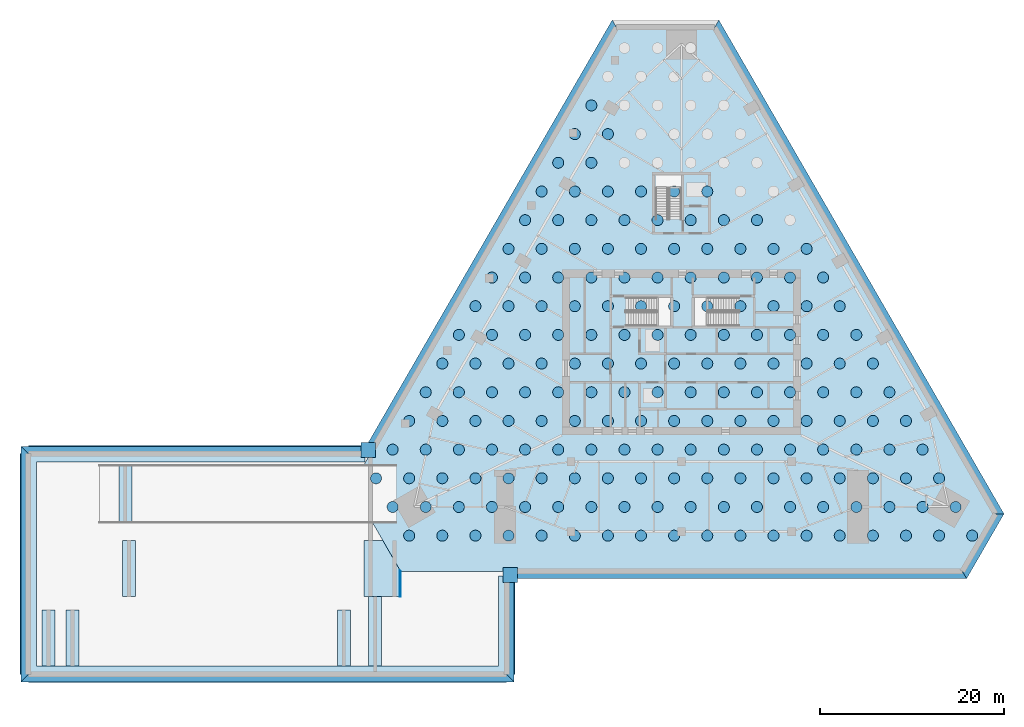
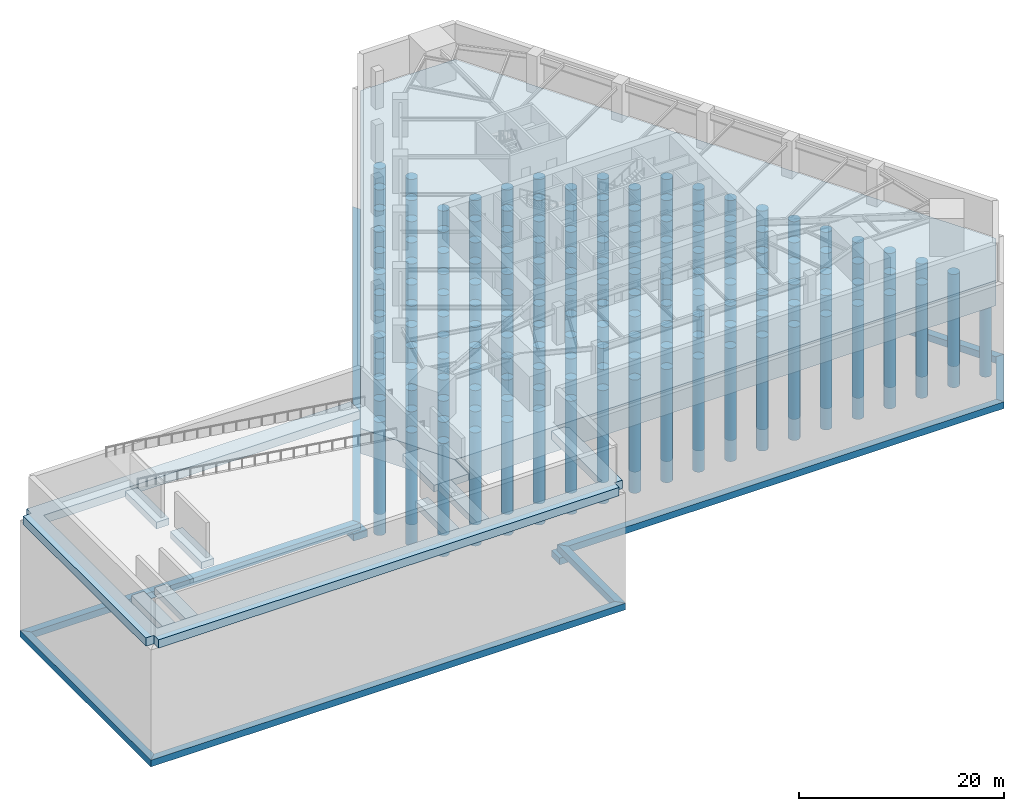
# One storey, part 1 of 8: 181 piles, 20 footings.
"""IFC4 building model written with IfcOpenShell, lengths in metres."""

from ifc_helpers import new_model, si_unit, direction, frame, origin, origin_2d, place, context, subcontext, project, spatial, polyline, circle, outline, extrude, material, material_profile, profile_set, type_object, element, save


model = new_model("IFC4")

# Units and contexts
model_context = context("Model", 3, precision=1e-05, world=origin(), true_north=direction((0.0, 1.0)))
body_context = subcontext(model_context, "Body", "Model", "MODEL_VIEW")
ifc_project = project(units=[si_unit("LENGTHUNIT", "METRE"), si_unit("AREAUNIT", "SQUARE_METRE"), si_unit("VOLUMEUNIT", "CUBIC_METRE"), si_unit("PLANEANGLEUNIT", "RADIAN"), si_unit("MASSUNIT", "GRAM", prefix="KILO")], contexts=[model_context])

# Site, building, storey
site_placement = place(None, origin())
site = spatial("IfcSite", under=ifc_project, at=site_placement, CompositionType="ELEMENT")
building_placement = place(site_placement, origin())
building = spatial("IfcBuilding", under=site, at=building_placement, Name="Firuza Gate Tower and Library", CompositionType="ELEMENT")
storey_placement = place(building_placement, frame((0.0, 0.0, -14.0)))
storey = spatial("IfcBuildingStorey", under=building, at=storey_placement, Name="B3", CompositionType="ELEMENT", Elevation=-14.0)

# Piles
ifc_material_1 = material(Name="Concrete C40/50", Category="concrete")
ifc_material_profile = material_profile(ifc_material_1, circle(Radius=0.60009765625, at=origin_2d()))
ifc_profile_set = profile_set([ifc_material_profile], Name="Concrete C40/50")
pile_type = type_object("IfcPileType", Name="Bored pile D1200 rock-socketed C40/50", PredefinedType="BORED", material=ifc_profile_set)
for number, where, z_axis, x_axis, name in (
    (1, (45.402099609375, 55.0830078125, -3.199951171875), (0.0, 0.0, -1.0), (1.0, 0.0, 0.0), "Bored pile 1"),
    (2, (49.001953125, 55.0830078125, -3.199951171875), (0.0, 0.0, -1.0), (1.0, 0.0, 0.0), "Bored pile 2"),
    (3, (52.60205078125, 55.0830078125, -3.199951171875), (0.0, 0.0, -1.0), (1.0, 0.0, 0.0), "Bored pile 3"),
    (4, (56.201904296875, 55.0830078125, -3.199951171875), (0.0, 0.0, -1.0), (1.0, 0.0, 0.0), "Bored pile 4"),
    (5, (59.802001953125, 55.0830078125, -3.199951171875), (0.0, 0.0, -1.0), (1.0, 0.0, 0.0), "Bored pile 5"),
    (6, (63.402099609375, 55.0830078125, -3.199951171875), (0.0, 0.0, -1.0), (1.0, 0.0, 0.0), "Bored pile 6"),
    (7, (67.001953125, 55.0830078125, -3.199951171875), (0.0, 0.0, -1.0), (1.0, 0.0, 0.0), "Bored pile 7"),
    (8, (70.60205078125, 55.0830078125, -3.199951171875), (0.0, 0.0, -1.0), (1.0, 0.0, 0.0), "Bored pile 8"),
    (9, (74.201904296875, 55.0830078125, -3.199951171875), (0.0, 0.0, -1.0), (1.0, 0.0, 0.0), "Bored pile 9"),
    (10, (77.802001953125, 55.0830078125, -3.199951171875), (0.0, 0.0, -1.0), (1.0, 0.0, 0.0), "Bored pile 10"),
    (11, (81.402099609375, 55.0830078125, -3.199951171875), (0.0, 0.0, -1.0), (1.0, 0.0, 0.0), "Bored pile 11"),
    (12, (85.001953125, 55.0830078125, -3.199951171875), (0.0, 0.0, -1.0), (1.0, 0.0, 0.0), "Bored pile 12"),
    (13, (88.60205078125, 55.0830078125, -3.199951171875), (0.0, 0.0, -1.0), (1.0, 0.0, 0.0), "Bored pile 13"),
    (14, (92.201904296875, 55.0830078125, -3.199951171875), (0.0, 0.0, -1.0), (1.0, 0.0, 0.0), "Bored pile 14"),
    (15, (95.802001953125, 55.0830078125, -3.199951171875), (0.0, 0.0, -1.0), (1.0, 0.0, 0.0), "Bored pile 15"),
    (16, (99.402099609375, 55.0830078125, -3.199951171875), (0.0, 0.0, -1.0), (1.0, 0.0, 0.0), "Bored pile 16"),
    (17, (103.001953125, 55.0830078125, -3.199951171875), (0.0, 0.0, -1.0), (1.0, 0.0, 0.0), "Bored pile 17"),
    (18, (106.60205078125, 55.0830078125, -3.199951171875), (0.0, 0.0, -1.0), (1.0, 0.0, 0.0), "Bored pile 18"),
    (19, (43.60205078125, 58.200927734375, -3.199951171875), (0.0, 0.0, -1.0), (1.0, 0.0, 0.0), "Bored pile 19"),
    (20, (47.201904296875, 58.200927734375, -3.199951171875), (0.0, 0.0, -1.0), (1.0, 0.0, 0.0), "Bored pile 20"),
    (21, (50.802001953125, 58.200927734375, -3.199951171875), (0.0, 0.0, -1.0), (1.0, 0.0, 0.0), "Bored pile 21"),
    (22, (54.402099609375, 58.200927734375, -3.199951171875), (0.0, 0.0, -1.0), (1.0, 0.0, 0.0), "Bored pile 22"),
    (23, (58.001953125, 58.200927734375, -3.199951171875), (0.0, 0.0, -1.0), (1.0, 0.0, 0.0), "Bored pile 23"),
    (24, (61.60205078125, 58.200927734375, -3.199951171875), (0.0, 0.0, -1.0), (1.0, 0.0, 0.0), "Bored pile 24"),
    (25, (65.201904296875, 58.200927734375, -3.199951171875), (0.0, 0.0, -1.0), (1.0, 0.0, 0.0), "Bored pile 25"),
    (26, (68.802001953125, 58.200927734375, -3.199951171875), (0.0, 0.0, -1.0), (1.0, 0.0, 0.0), "Bored pile 26"),
    (27, (72.402099609375, 58.200927734375, -3.199951171875), (0.0, 0.0, -1.0), (1.0, 0.0, 0.0), "Bored pile 27"),
    (28, (76.001953125, 58.200927734375, -3.199951171875), (0.0, 0.0, -1.0), (1.0, 0.0, 0.0), "Bored pile 28"),
    (29, (79.60205078125, 58.200927734375, -3.199951171875), (0.0, 0.0, -1.0), (1.0, 0.0, 0.0), "Bored pile 29"),
    (30, (83.201904296875, 58.200927734375, -3.199951171875), (0.0, 0.0, -1.0), (1.0, 0.0, 0.0), "Bored pile 30"),
    (31, (86.802001953125, 58.200927734375, -3.199951171875), (0.0, 0.0, -1.0), (1.0, 0.0, 0.0), "Bored pile 31"),
    (32, (90.402099609375, 58.200927734375, -3.199951171875), (0.0, 0.0, -1.0), (1.0, 0.0, 0.0), "Bored pile 32"),
    (33, (94.001953125, 58.200927734375, -3.199951171875), (0.0, 0.0, -1.0), (1.0, 0.0, 0.0), "Bored pile 33"),
    (34, (97.60205078125, 58.200927734375, -3.199951171875), (0.0, 0.0, -1.0), (1.0, 0.0, 0.0), "Bored pile 34"),
    (35, (101.201904296875, 58.200927734375, -3.199951171875), (0.0, 0.0, -1.0), (1.0, 0.0, 0.0), "Bored pile 35"),
    (36, (104.802001953125, 58.200927734375, -3.199951171875), (0.0, 0.0, -1.0), (1.0, 0.0, 0.0), "Bored pile 36"),
    (37, (41.802001953125, 61.318115234375, -3.199951171875), (0.0, 0.0, -1.0), (1.0, 0.0, 0.0), "Bored pile 37"),
    (38, (45.402099609375, 61.318115234375, -3.199951171875), (0.0, 0.0, -1.0), (1.0, 0.0, 0.0), "Bored pile 38"),
    (39, (49.001953125, 61.318115234375, -3.199951171875), (0.0, 0.0, -1.0), (1.0, 0.0, 0.0), "Bored pile 39"),
    (40, (52.60205078125, 61.318115234375, -3.199951171875), (0.0, 0.0, -1.0), (1.0, 0.0, 0.0), "Bored pile 40"),
    (41, (56.201904296875, 61.318115234375, -3.199951171875), (0.0, 0.0, -1.0), (1.0, 0.0, 0.0), "Bored pile 41"),
    (42, (59.802001953125, 61.318115234375, -3.199951171875), (0.0, 0.0, -1.0), (1.0, 0.0, 0.0), "Bored pile 42"),
    (43, (63.402099609375, 61.318115234375, -3.199951171875), (0.0, 0.0, -1.0), (1.0, 0.0, 0.0), "Bored pile 43"),
    (44, (67.001953125, 61.318115234375, -3.199951171875), (0.0, 0.0, -1.0), (1.0, 0.0, 0.0), "Bored pile 44"),
    (45, (70.60205078125, 61.318115234375, -3.199951171875), (0.0, 0.0, -1.0), (1.0, 0.0, 0.0), "Bored pile 45"),
    (46, (74.201904296875, 61.318115234375, -3.199951171875), (0.0, 0.0, -1.0), (1.0, 0.0, 0.0), "Bored pile 46"),
    (47, (77.802001953125, 61.318115234375, -3.199951171875), (0.0, 0.0, -1.0), (1.0, 0.0, 0.0), "Bored pile 47"),
    (48, (81.402099609375, 61.318115234375, -3.199951171875), (0.0, 0.0, -1.0), (1.0, 0.0, 0.0), "Bored pile 48"),
    (49, (85.001953125, 61.318115234375, -3.199951171875), (0.0, 0.0, -1.0), (1.0, 0.0, 0.0), "Bored pile 49"),
    (50, (88.60205078125, 61.318115234375, -3.199951171875), (0.0, 0.0, -1.0), (1.0, 0.0, 0.0), "Bored pile 50"),
    (51, (92.201904296875, 61.318115234375, -3.199951171875), (0.0, 0.0, -1.0), (1.0, 0.0, 0.0), "Bored pile 51"),
    (52, (95.802001953125, 61.318115234375, -3.199951171875), (0.0, 0.0, -1.0), (1.0, 0.0, 0.0), "Bored pile 52"),
    (53, (99.402099609375, 61.318115234375, -3.199951171875), (0.0, 0.0, -1.0), (1.0, 0.0, 0.0), "Bored pile 53"),
    (54, (103.001953125, 61.318115234375, -3.199951171875), (0.0, 0.0, -1.0), (1.0, 0.0, 0.0), "Bored pile 54"),
    (55, (43.60205078125, 64.43603515625, -3.199951171875), (0.0, 0.0, -1.0), (1.0, 0.0, 0.0), "Bored pile 55"),
    (56, (47.201904296875, 64.43603515625, -3.199951171875), (0.0, 0.0, -1.0), (1.0, 0.0, 0.0), "Bored pile 56"),
    (57, (50.802001953125, 64.43603515625, -3.199951171875), (0.0, 0.0, -1.0), (1.0, 0.0, 0.0), "Bored pile 57"),
    (58, (54.402099609375, 64.43603515625, -3.199951171875), (0.0, 0.0, -1.0), (1.0, 0.0, 0.0), "Bored pile 58"),
    (59, (58.001953125, 64.43603515625, -3.199951171875), (0.0, 0.0, -1.0), (1.0, 0.0, 0.0), "Bored pile 59"),
    (60, (61.60205078125, 64.43603515625, -3.199951171875), (0.0, 0.0, -1.0), (1.0, 0.0, 0.0), "Bored pile 60"),
    (61, (65.201904296875, 64.43603515625, -3.199951171875), (0.0, 0.0, -1.0), (1.0, 0.0, 0.0), "Bored pile 61"),
    (62, (68.802001953125, 64.43603515625, -3.199951171875), (0.0, 0.0, -1.0), (1.0, 0.0, 0.0), "Bored pile 62"),
    (63, (72.402099609375, 64.43603515625, -3.199951171875), (0.0, 0.0, -1.0), (1.0, 0.0, 0.0), "Bored pile 63"),
    (64, (76.001953125, 64.43603515625, -3.199951171875), (0.0, 0.0, -1.0), (1.0, 0.0, 0.0), "Bored pile 64"),
    (65, (79.60205078125, 64.43603515625, -3.199951171875), (0.0, 0.0, -1.0), (1.0, 0.0, 0.0), "Bored pile 65"),
    (66, (83.201904296875, 64.43603515625, -3.199951171875), (0.0, 0.0, -1.0), (1.0, 0.0, 0.0), "Bored pile 66"),
    (67, (86.802001953125, 64.43603515625, -3.199951171875), (0.0, 0.0, -1.0), (1.0, 0.0, 0.0), "Bored pile 67"),
    (68, (90.402099609375, 64.43603515625, -3.199951171875), (0.0, 0.0, -1.0), (1.0, 0.0, 0.0), "Bored pile 68"),
    (69, (94.001953125, 64.43603515625, -3.199951171875), (0.0, 0.0, -1.0), (1.0, 0.0, 0.0), "Bored pile 69"),
    (70, (97.60205078125, 64.43603515625, -3.199951171875), (0.0, 0.0, -1.0), (1.0, 0.0, 0.0), "Bored pile 70"),
    (71, (101.201904296875, 64.43603515625, -3.199951171875), (0.0, 0.0, -1.0), (1.0, 0.0, 0.0), "Bored pile 71"),
    (72, (45.402099609375, 67.553955078125, -3.199951171875), (0.0, 0.0, -1.0), (1.0, 0.0, 0.0), "Bored pile 72"),
    (73, (49.001953125, 67.553955078125, -3.199951171875), (0.0, 0.0, -1.0), (1.0, 0.0, 0.0), "Bored pile 73"),
    (74, (52.60205078125, 67.553955078125, -3.199951171875), (0.0, 0.0, -1.0), (1.0, 0.0, 0.0), "Bored pile 74"),
    (75, (56.201904296875, 67.553955078125, -3.199951171875), (0.0, 0.0, -1.0), (1.0, 0.0, 0.0), "Bored pile 75"),
    (76, (59.802001953125, 67.553955078125, -3.199951171875), (0.0, 0.0, -1.0), (1.0, 0.0, 0.0), "Bored pile 76"),
    (77, (63.402099609375, 67.553955078125, -3.199951171875), (0.0, 0.0, -1.0), (1.0, 0.0, 0.0), "Bored pile 77"),
    (78, (67.001953125, 67.553955078125, -3.199951171875), (0.0, 0.0, -1.0), (1.0, 0.0, 0.0), "Bored pile 78"),
    (79, (70.60205078125, 67.553955078125, -3.199951171875), (0.0, 0.0, -1.0), (1.0, 0.0, 0.0), "Bored pile 79"),
    (80, (74.201904296875, 67.553955078125, -3.199951171875), (0.0, 0.0, -1.0), (1.0, 0.0, 0.0), "Bored pile 80"),
    (81, (77.802001953125, 67.553955078125, -3.199951171875), (0.0, 0.0, -1.0), (1.0, 0.0, 0.0), "Bored pile 81"),
    (82, (81.402099609375, 67.553955078125, -3.199951171875), (0.0, 0.0, -1.0), (1.0, 0.0, 0.0), "Bored pile 82"),
    (83, (85.001953125, 67.553955078125, -3.199951171875), (0.0, 0.0, -1.0), (1.0, 0.0, 0.0), "Bored pile 83"),
    (84, (88.60205078125, 67.553955078125, -3.199951171875), (0.0, 0.0, -1.0), (1.0, 0.0, 0.0), "Bored pile 84"),
    (85, (92.201904296875, 67.553955078125, -3.199951171875), (0.0, 0.0, -1.0), (1.0, 0.0, 0.0), "Bored pile 85"),
    (86, (95.802001953125, 67.553955078125, -3.199951171875), (0.0, 0.0, -1.0), (1.0, 0.0, 0.0), "Bored pile 86"),
    (87, (99.402099609375, 67.553955078125, -3.199951171875), (0.0, 0.0, -1.0), (1.0, 0.0, 0.0), "Bored pile 87"),
    (88, (47.201904296875, 70.672119140625, -3.199951171875), (0.0, 0.0, -1.0), (1.0, 0.0, 0.0), "Bored pile 88"),
    (89, (50.802001953125, 70.672119140625, -3.199951171875), (0.0, 0.0, -1.0), (1.0, 0.0, 0.0), "Bored pile 89"),
    (90, (54.402099609375, 70.672119140625, -3.199951171875), (0.0, 0.0, -1.0), (1.0, 0.0, 0.0), "Bored pile 90"),
    (91, (58.001953125, 70.672119140625, -3.199951171875), (0.0, 0.0, -1.0), (1.0, 0.0, 0.0), "Bored pile 91"),
    (92, (61.60205078125, 70.672119140625, -3.199951171875), (0.0, 0.0, -1.0), (1.0, 0.0, 0.0), "Bored pile 92"),
    (93, (65.201904296875, 70.672119140625, -3.199951171875), (0.0, 0.0, -1.0), (1.0, 0.0, 0.0), "Bored pile 93"),
    (94, (68.802001953125, 70.672119140625, -3.199951171875), (0.0, 0.0, -1.0), (1.0, 0.0, 0.0), "Bored pile 94"),
    (95, (72.402099609375, 70.672119140625, -3.199951171875), (0.0, 0.0, -1.0), (1.0, 0.0, 0.0), "Bored pile 95"),
    (96, (76.001953125, 70.672119140625, -3.199951171875), (0.0, 0.0, -1.0), (1.0, 0.0, 0.0), "Bored pile 96"),
    (97, (79.60205078125, 70.672119140625, -3.199951171875), (0.0, 0.0, -1.0), (1.0, 0.0, 0.0), "Bored pile 97"),
    (98, (83.201904296875, 70.672119140625, -3.199951171875), (0.0, 0.0, -1.0), (1.0, 0.0, 0.0), "Bored pile 98"),
    (99, (86.802001953125, 70.672119140625, -3.199951171875), (0.0, 0.0, -1.0), (1.0, 0.0, 0.0), "Bored pile 99"),
    (100, (90.402099609375, 70.672119140625, -3.199951171875), (0.0, 0.0, -1.0), (1.0, 0.0, 0.0), "Bored pile 100"),
    (101, (94.001953125, 70.672119140625, -3.199951171875), (0.0, 0.0, -1.0), (1.0, 0.0, 0.0), "Bored pile 101"),
    (102, (97.60205078125, 70.672119140625, -3.199951171875), (0.0, 0.0, -1.0), (1.0, 0.0, 0.0), "Bored pile 102"),
    (103, (49.001953125, 73.7890625, -3.199951171875), (0.0, 0.0, -1.0), (1.0, 0.0, 0.0), "Bored pile 103"),
    (104, (52.60205078125, 73.7890625, -3.199951171875), (0.0, 0.0, -1.0), (1.0, 0.0, 0.0), "Bored pile 104"),
    (105, (56.201904296875, 73.7890625, -3.199951171875), (0.0, 0.0, -1.0), (1.0, 0.0, 0.0), "Bored pile 105"),
    (106, (59.802001953125, 73.7890625, -3.199951171875), (0.0, 0.0, -1.0), (1.0, 0.0, 0.0), "Bored pile 106"),
    (107, (63.402099609375, 73.7890625, -3.199951171875), (0.0, 0.0, -1.0), (1.0, 0.0, 0.0), "Bored pile 107"),
    (108, (67.001953125, 73.7890625, -3.199951171875), (0.0, 0.0, -1.0), (1.0, 0.0, 0.0), "Bored pile 108"),
    (109, (70.60205078125, 73.7890625, -3.199951171875), (0.0, 0.0, -1.0), (1.0, 0.0, 0.0), "Bored pile 109"),
    (110, (74.201904296875, 73.7890625, -3.199951171875), (0.0, 0.0, -1.0), (1.0, 0.0, 0.0), "Bored pile 110"),
    (111, (77.802001953125, 73.7890625, -3.199951171875), (0.0, 0.0, -1.0), (1.0, 0.0, 0.0), "Bored pile 111"),
    (112, (81.402099609375, 73.7890625, -3.199951171875), (0.0, 0.0, -1.0), (1.0, 0.0, 0.0), "Bored pile 112"),
    (113, (85.001953125, 73.7890625, -3.199951171875), (0.0, 0.0, -1.0), (1.0, 0.0, 0.0), "Bored pile 113"),
    (114, (88.60205078125, 73.7890625, -3.199951171875), (0.0, 0.0, -1.0), (1.0, 0.0, 0.0), "Bored pile 114"),
    (115, (92.201904296875, 73.7890625, -3.199951171875), (0.0, 0.0, -1.0), (1.0, 0.0, 0.0), "Bored pile 115"),
    (116, (95.802001953125, 73.7890625, -3.199951171875), (0.0, 0.0, -1.0), (1.0, 0.0, 0.0), "Bored pile 116"),
    (117, (50.802001953125, 76.906982421875, -3.199951171875), (0.0, 0.0, -1.0), (1.0, 0.0, 0.0), "Bored pile 117"),
    (118, (54.402099609375, 76.906982421875, -3.199951171875), (0.0, 0.0, -1.0), (1.0, 0.0, 0.0), "Bored pile 118"),
    (119, (58.001953125, 76.906982421875, -3.199951171875), (0.0, 0.0, -1.0), (1.0, 0.0, 0.0), "Bored pile 119"),
    (120, (61.60205078125, 76.906982421875, -3.199951171875), (0.0, 0.0, -1.0), (1.0, 0.0, 0.0), "Bored pile 120"),
    (121, (65.201904296875, 76.906982421875, -3.199951171875), (0.0, 0.0, -1.0), (1.0, 0.0, 0.0), "Bored pile 121"),
    (122, (68.802001953125, 76.906982421875, -3.199951171875), (0.0, 0.0, -1.0), (1.0, 0.0, 0.0), "Bored pile 122"),
    (123, (72.402099609375, 76.906982421875, -3.199951171875), (0.0, 0.0, -1.0), (1.0, 0.0, 0.0), "Bored pile 123"),
    (124, (76.001953125, 76.906982421875, -3.199951171875), (0.0, 0.0, -1.0), (1.0, 0.0, 0.0), "Bored pile 124"),
    (125, (79.60205078125, 76.906982421875, -3.199951171875), (0.0, 0.0, -1.0), (1.0, 0.0, 0.0), "Bored pile 125"),
    (126, (83.201904296875, 76.906982421875, -3.199951171875), (0.0, 0.0, -1.0), (1.0, 0.0, 0.0), "Bored pile 126"),
    (127, (86.802001953125, 76.906982421875, -3.199951171875), (0.0, 0.0, -1.0), (1.0, 0.0, 0.0), "Bored pile 127"),
    (128, (90.402099609375, 76.906982421875, -3.199951171875), (0.0, 0.0, -1.0), (1.0, 0.0, 0.0), "Bored pile 128"),
    (129, (94.001953125, 76.906982421875, -3.199951171875), (0.0, 0.0, -1.0), (1.0, 0.0, 0.0), "Bored pile 129"),
    (130, (52.60205078125, 80.02490234375, -3.199951171875), (0.0, 0.0, -1.0), (1.0, 0.0, 0.0), "Bored pile 130"),
    (131, (56.201904296875, 80.02490234375, -3.199951171875), (0.0, 0.0, -1.0), (1.0, 0.0, 0.0), "Bored pile 131"),
    (132, (59.802001953125, 80.02490234375, -3.199951171875), (0.0, 0.0, -1.0), (1.0, 0.0, 0.0), "Bored pile 132"),
    (133, (63.402099609375, 80.02490234375, -3.199951171875), (0.0, 0.0, -1.0), (1.0, 0.0, 0.0), "Bored pile 133"),
    (134, (67.001953125, 80.02490234375, -3.199951171875), (0.0, 0.0, -1.0), (1.0, 0.0, 0.0), "Bored pile 134"),
    (135, (70.60205078125, 80.02490234375, -3.199951171875), (0.0, 0.0, -1.0), (1.0, 0.0, 0.0), "Bored pile 135"),
    (136, (74.201904296875, 80.02490234375, -3.199951171875), (0.0, 0.0, -1.0), (1.0, 0.0, 0.0), "Bored pile 136"),
    (137, (77.802001953125, 80.02490234375, -3.199951171875), (0.0, 0.0, -1.0), (1.0, 0.0, 0.0), "Bored pile 137"),
    (138, (81.402099609375, 80.02490234375, -3.199951171875), (0.0, 0.0, -1.0), (1.0, 0.0, 0.0), "Bored pile 138"),
    (139, (85.001953125, 80.02490234375, -3.199951171875), (0.0, 0.0, -1.0), (1.0, 0.0, 0.0), "Bored pile 139"),
    (140, (88.60205078125, 80.02490234375, -3.199951171875), (0.0, 0.0, -1.0), (1.0, 0.0, 0.0), "Bored pile 140"),
    (141, (92.201904296875, 80.02490234375, -3.199951171875), (0.0, 0.0, -1.0), (1.0, 0.0, 0.0), "Bored pile 141"),
    (142, (54.402099609375, 83.14208984375, -3.199951171875), (0.0, 0.0, -1.0), (1.0, 0.0, 0.0), "Bored pile 142"),
    (143, (58.001953125, 83.14208984375, -3.199951171875), (0.0, 0.0, -1.0), (1.0, 0.0, 0.0), "Bored pile 143"),
    (144, (61.60205078125, 83.14208984375, -3.199951171875), (0.0, 0.0, -1.0), (1.0, 0.0, 0.0), "Bored pile 144"),
    (145, (65.201904296875, 83.14208984375, -3.199951171875), (0.0, 0.0, -1.0), (1.0, 0.0, 0.0), "Bored pile 145"),
    (146, (68.802001953125, 83.14208984375, -3.199951171875), (0.0, 0.0, -1.0), (1.0, 0.0, 0.0), "Bored pile 146"),
    (147, (72.402099609375, 83.14208984375, -3.199951171875), (0.0, 0.0, -1.0), (1.0, 0.0, 0.0), "Bored pile 147"),
    (148, (76.001953125, 83.14208984375, -3.199951171875), (0.0, 0.0, -1.0), (1.0, 0.0, 0.0), "Bored pile 148"),
    (149, (79.60205078125, 83.14208984375, -3.199951171875), (0.0, 0.0, -1.0), (1.0, 0.0, 0.0), "Bored pile 149"),
    (150, (83.201904296875, 83.14208984375, -3.199951171875), (0.0, 0.0, -1.0), (1.0, 0.0, 0.0), "Bored pile 150"),
    (151, (86.802001953125, 83.14208984375, -3.199951171875), (0.0, 0.0, -1.0), (1.0, 0.0, 0.0), "Bored pile 151"),
    (152, (90.402099609375, 83.14208984375, -3.199951171875), (0.0, 0.0, -1.0), (1.0, 0.0, 0.0), "Bored pile 152"),
    (153, (56.201904296875, 86.260009765625, -3.199951171875), (0.0, 0.0, -1.0), (1.0, 0.0, 0.0), "Bored pile 153"),
    (154, (59.802001953125, 86.260009765625, -3.199951171875), (0.0, 0.0, -1.0), (1.0, 0.0, 0.0), "Bored pile 154"),
    (155, (63.402099609375, 86.260009765625, -3.199951171875), (0.0, 0.0, -1.0), (1.0, 0.0, 0.0), "Bored pile 155"),
    (156, (67.001953125, 86.260009765625, -3.199951171875), (0.0, 0.0, -1.0), (1.0, 0.0, 0.0), "Bored pile 156"),
    (157, (70.60205078125, 86.260009765625, -3.199951171875), (0.0, 0.0, -1.0), (1.0, 0.0, 0.0), "Bored pile 157"),
    (158, (74.201904296875, 86.260009765625, -3.199951171875), (0.0, 0.0, -1.0), (1.0, 0.0, 0.0), "Bored pile 158"),
    (159, (77.802001953125, 86.260009765625, -3.199951171875), (0.0, 0.0, -1.0), (1.0, 0.0, 0.0), "Bored pile 159"),
    (160, (81.402099609375, 86.260009765625, -3.199951171875), (0.0, 0.0, -1.0), (1.0, 0.0, 0.0), "Bored pile 160"),
    (161, (85.001953125, 86.260009765625, -3.199951171875), (0.0, 0.0, -1.0), (1.0, 0.0, 0.0), "Bored pile 161"),
    (162, (88.60205078125, 86.260009765625, -3.199951171875), (0.0, 0.0, -1.0), (1.0, 0.0, 0.0), "Bored pile 162"),
    (163, (58.001953125, 89.3779296875, -3.199951171875), (0.0, 0.0, -1.0), (1.0, 0.0, 0.0), "Bored pile 163"),
    (164, (61.60205078125, 89.3779296875, -3.199951171875), (0.0, 0.0, -1.0), (1.0, 0.0, 0.0), "Bored pile 164"),
    (165, (65.201904296875, 89.3779296875, -3.199951171875), (0.0, 0.0, -1.0), (1.0, 0.0, 0.0), "Bored pile 165"),
    (166, (68.802001953125, 89.3779296875, -3.199951171875), (0.0, 0.0, -1.0), (1.0, 0.0, 0.0), "Bored pile 166"),
    (167, (72.402099609375, 89.3779296875, -3.199951171875), (0.0, 0.0, -1.0), (1.0, 0.0, 0.0), "Bored pile 167"),
    (168, (76.001953125, 89.3779296875, -3.199951171875), (0.0, 0.0, -1.0), (1.0, 0.0, 0.0), "Bored pile 168"),
    (169, (79.60205078125, 89.3779296875, -3.199951171875), (0.0, 0.0, -1.0), (1.0, 0.0, 0.0), "Bored pile 169"),
    (170, (83.201904296875, 89.3779296875, -3.199951171875), (0.0, 0.0, -1.0), (1.0, 0.0, 0.0), "Bored pile 170"),
    (171, (59.802001953125, 92.4951171875, -3.199951171875), (0.0, 0.0, -1.0), (1.0, 0.0, 0.0), "Bored pile 172"),
    (172, (63.402099609375, 92.4951171875, -3.199951171875), (0.0, 0.0, -1.0), (1.0, 0.0, 0.0), "Bored pile 173"),
    (173, (67.001953125, 92.4951171875, -3.199951171875), (0.0, 0.0, -1.0), (1.0, 0.0, 0.0), "Bored pile 174"),
    (174, (70.60205078125, 92.4951171875, -3.199951171875), (0.0, 0.0, -1.0), (1.0, 0.0, 0.0), "Bored pile 175"),
    (175, (74.201904296875, 92.4951171875, -3.199951171875), (0.0, 0.0, -1.0), (1.0, 0.0, 0.0), "Bored pile 176"),
    (176, (77.802001953125, 92.4951171875, -3.199951171875), (0.0, 0.0, -1.0), (1.0, 0.0, 0.0), "Bored pile 177"),
    (177, (61.60205078125, 95.613037109375, -3.199951171875), (0.0, 0.0, -1.0), (1.0, 0.0, 0.0), "Bored pile 180"),
    (178, (65.201904296875, 95.613037109375, -3.199951171875), (0.0, 0.0, -1.0), (1.0, 0.0, 0.0), "Bored pile 181"),
    (179, (63.402099609375, 98.73095703125, -3.199951171875), (0.0, 0.0, -1.0), (1.0, 0.0, 0.0), "Bored pile 187"),
    (180, (67.001953125, 98.73095703125, -3.199951171875), (0.0, 0.0, -1.0), (1.0, 0.0, 0.0), "Bored pile 188"),
    (181, (65.201904296875, 101.847900390625, -3.199951171875), (0.0, 0.0, -1.0), (1.0, 0.0, 0.0), "Bored pile 193"),
):
    element("IfcPile", number, at=place(storey_placement, frame(where, z_axis=z_axis, x_axis=x_axis)), inside=storey, type_object=pile_type, Name=name, PredefinedType="BORED", context=body_context, shape_type="SweptSolid", body=[
        extrude(circle(Radius=0.60009765625, at=origin_2d()), origin(), (0.0, 0.0, 1.0), 11.0),
    ])

# Footings
ifc_material_2 = material(Name="Concrete C40/50", Category="concrete")
footing_type_1 = type_object("IfcFootingType", Name="Diaphragm wall corner block 1600 C40/50", PredefinedType="PAD_FOOTING", material=ifc_material_2)
placement_1 = place(storey_placement, frame((0.0, 0.0, -16.10009765625)))
element("IfcFooting", 182, at=placement_1, inside=storey, type_object=footing_type_1, Name="Diaphragm wall corner block 6 TC1", PredefinedType="PAD_FOOTING", context=body_context, shape_type="SweptSolid", body=[
    extrude(outline(polyline([(40.154052734375, 63.60009765625), (41.754150390625, 63.60009765625), (41.754150390625, 65.199951171875), (40.154052734375, 65.199951171875), (40.154052734375, 63.60009765625)])), origin(), (0.0, 0.0, 1.0), 0.800048828125),
])
element("IfcFooting", 183, at=placement_1, inside=storey, type_object=footing_type_1, Name="Diaphragm wall corner block 1 TC1", PredefinedType="PAD_FOOTING", context=body_context, shape_type="SweptSolid", body=[
    extrude(outline(polyline([(55.60009765625, 50.015380859375), (57.199951171875, 50.015380859375), (57.199951171875, 51.615478515625), (55.60009765625, 51.615478515625), (55.60009765625, 50.015380859375)])), origin(), (0.0, 0.0, 1.0), 0.800048828125),
])
ifc_material_3 = material(Name="Concrete C40/50", Category="concrete")
footing_type_2 = type_object("IfcFootingType", Name="Diaphragm wall toe key 800 C40/50", PredefinedType="STRIP_FOOTING", material=ifc_material_3)
placement_2 = place(storey_placement, frame((0.0, 0.0, -15.300048828125)))
element("IfcFooting", 184, at=placement_2, inside=storey, type_object=footing_type_2, Name="Diaphragm wall toe key 1 TK1", PredefinedType="STRIP_FOOTING", context=body_context, shape_type="SweptSolid", body=[
    extrude(outline(polyline([(56.0, 51.21533203125), (105.531982421875, 51.21533203125), (105.993896484375, 50.415283203125), (56.800048828125, 50.415283203125), (56.0, 51.21533203125)])), origin(), (0.0, 0.0, 1.0), 0.800048828125),
])
element("IfcFooting", 185, at=placement_2, inside=storey, type_object=footing_type_2, Name="Diaphragm wall toe key 2 TK1", PredefinedType="STRIP_FOOTING", context=body_context, shape_type="SweptSolid", body=[
    extrude(outline(polyline([(105.531982421875, 51.21533203125), (109.132080078125, 57.45068359375), (110.055908203125, 57.45068359375), (105.993896484375, 50.415283203125), (105.531982421875, 51.21533203125)])), origin(), (0.0, 0.0, 1.0), 0.800048828125),
])
element("IfcFooting", 186, at=placement_2, inside=storey, type_object=footing_type_2, Name="Diaphragm wall toe key 3 TK1", PredefinedType="STRIP_FOOTING", context=body_context, shape_type="SweptSolid", body=[
    extrude(outline(polyline([(109.132080078125, 57.45068359375), (78.60009765625, 110.333740234375), (79.061767578125, 111.1337890625), (110.055908203125, 57.45068359375), (109.132080078125, 57.45068359375)])), origin(), (0.0, 0.0, 1.0), 0.800048828125),
])
element("IfcFooting", 187, at=placement_2, inside=storey, type_object=footing_type_2, Name="Diaphragm wall toe key 5 TK1", PredefinedType="STRIP_FOOTING", context=body_context, shape_type="SweptSolid", body=[
    extrude(outline(polyline([(67.935791015625, 110.333740234375), (41.18505859375, 64.0), (40.72314453125, 64.800048828125), (67.47412109375, 111.1337890625), (67.935791015625, 110.333740234375)])), origin(), (0.0, 0.0, 1.0), 0.800048828125),
])
element("IfcFooting", 188, at=placement_2, inside=storey, type_object=footing_type_2, Name="Diaphragm wall toe key 6 TK1", PredefinedType="STRIP_FOOTING", context=body_context, shape_type="SweptSolid", body=[
    extrude(outline(polyline([(41.18505859375, 64.0), (4.0, 64.0), (3.199951171875, 64.800048828125), (40.72314453125, 64.800048828125), (41.18505859375, 64.0)])), origin(), (0.0, 0.0, 1.0), 0.800048828125),
])
element("IfcFooting", 189, at=placement_2, inside=storey, type_object=footing_type_2, Name="Diaphragm wall toe key 7 TK1", PredefinedType="STRIP_FOOTING", context=body_context, shape_type="SweptSolid", body=[
    extrude(outline(polyline([(4.0, 64.0), (4.0, 40.0), (3.199951171875, 39.199951171875), (3.199951171875, 64.800048828125), (4.0, 64.0)])), origin(), (0.0, 0.0, 1.0), 0.800048828125),
])
element("IfcFooting", 190, at=placement_2, inside=storey, type_object=footing_type_2, Name="Diaphragm wall toe key 8 TK1", PredefinedType="STRIP_FOOTING", context=body_context, shape_type="SweptSolid", body=[
    extrude(outline(polyline([(4.0, 40.0), (56.0, 40.0), (56.800048828125, 39.199951171875), (3.199951171875, 39.199951171875), (4.0, 40.0)])), origin(), (0.0, 0.0, 1.0), 0.800048828125),
])
element("IfcFooting", 191, at=placement_2, inside=storey, type_object=footing_type_2, Name="Diaphragm wall toe key 9 TK1", PredefinedType="STRIP_FOOTING", context=body_context, shape_type="SweptSolid", body=[
    extrude(outline(polyline([(56.0, 40.0), (56.0, 51.21533203125), (56.800048828125, 50.415283203125), (56.800048828125, 39.199951171875), (56.0, 40.0)])), origin(), (0.0, 0.0, 1.0), 0.800048828125),
])
ifc_material_4 = material(Name="Concrete C40/50", Category="concrete")
footing_type_3 = type_object("IfcFootingType", Name="Piled raft 3000 C40/50", PredefinedType="PILE_CAP", material=ifc_material_4)
footing_11_placement = place(storey_placement, frame((0.0, 0.0, -3.35009765625)))
element("IfcFooting", 192, at=footing_11_placement, inside=storey, type_object=footing_type_3, Name="Tower raft", PredefinedType="PILE_CAP", context=body_context, shape_type="SweptSolid", body=[
    extrude(outline(polyline([(56.0, 51.21533203125), (105.531982421875, 51.21533203125), (109.132080078125, 57.45068359375), (78.60009765625, 110.333740234375), (67.935791015625, 110.333740234375), (41.18505859375, 64.0), (41.18505859375, 64.0), (39.135986328125, 60.45068359375), (44.468017578125, 51.21533203125), (56.0, 51.21533203125)])), origin(), (0.0, 0.0, 1.0), 3.0),
])
ifc_material_5 = material(Name="Concrete C40/50", Category="concrete")
footing_type_4 = type_object("IfcFootingType", Name="Ramp support footing 1400x800", PredefinedType="STRIP_FOOTING", material=ifc_material_5)
placement_3 = place(storey_placement, frame((0.0, 0.0, -1.14990234375)))
element("IfcFooting", 193, at=placement_3, inside=storey, type_object=footing_type_4, Name="Ramp support footing R1:J1 RSF1", PredefinedType="STRIP_FOOTING", context=body_context, shape_type="SweptSolid", body=[
    extrude(outline(polyline([(8.10009765625, 47.0), (9.5, 47.0), (9.5, 40.89990234375), (8.10009765625, 40.89990234375), (8.10009765625, 47.0)])), origin(), (0.0, 0.0, 1.0), 0.7998046875),
])
element("IfcFooting", 194, at=placement_3, inside=storey, type_object=footing_type_4, Name="Ramp support footing R1:J2 RSF1", PredefinedType="STRIP_FOOTING", context=body_context, shape_type="SweptSolid", body=[
    extrude(outline(polyline([(37.60009765625, 47.0), (39.0, 47.0), (39.0, 40.89990234375), (37.60009765625, 40.89990234375), (37.60009765625, 47.0)])), origin(), (0.0, 0.0, 1.0), 0.7998046875),
])
element("IfcFooting", 195, at=placement_3, inside=storey, type_object=footing_type_4, Name="Ramp support footing R1:H RSF1", PredefinedType="STRIP_FOOTING", context=body_context, shape_type="SweptSolid", body=[
    extrude(outline(polyline([(5.5, 47.0), (6.89990234375, 47.0), (6.89990234375, 40.89990234375), (5.5, 40.89990234375), (5.5, 47.0)])), origin(), (0.0, 0.0, 1.0), 0.7998046875),
])
element("IfcFooting", 196, at=placement_3, inside=storey, type_object=footing_type_4, Name="Ramp support footing R2:J1 RSF1", PredefinedType="STRIP_FOOTING", context=body_context, shape_type="SweptSolid", body=[
    extrude(outline(polyline([(44.39990234375, 48.449951171875), (40.5, 48.449951171875), (40.5, 54.550048828125), (42.542724609375, 54.550048828125), (44.39990234375, 51.3330078125), (44.39990234375, 48.449951171875)])), origin(), (0.0, 0.0, 1.0), 0.7998046875),
])
element("IfcFooting", 197, at=placement_3, inside=storey, type_object=footing_type_4, Name="Ramp support footing R2:J2 RSF1", PredefinedType="STRIP_FOOTING", context=body_context, shape_type="SweptSolid", body=[
    extrude(outline(polyline([(14.25, 48.449951171875), (14.25, 54.550048828125), (15.64990234375, 54.550048828125), (15.64990234375, 48.449951171875), (14.25, 48.449951171875)])), origin(), (0.0, 0.0, 1.0), 0.7998046875),
])
element("IfcFooting", 198, at=placement_3, inside=storey, type_object=footing_type_4, Name="Ramp support footing R2:H RSF1", PredefinedType="STRIP_FOOTING", context=body_context, shape_type="SweptSolid", body=[
    extrude(outline(polyline([(44.5, 48.449951171875), (44.39990234375, 48.449951171875), (44.39990234375, 51.3330078125), (44.468017578125, 51.21533203125), (44.5, 51.21533203125), (44.5, 48.449951171875)])), origin(), (0.0, 0.0, 1.0), 0.7998046875),
])
element("IfcFooting", 199, at=placement_3, inside=storey, type_object=footing_type_4, Name="Ramp support footing R3:J1 RSF1", PredefinedType="STRIP_FOOTING", context=body_context, shape_type="SweptSolid", body=[
    extrude(outline(polyline([(13.85009765625, 56.550048828125), (13.85009765625, 62.64990234375), (15.25, 62.64990234375), (15.25, 56.550048828125), (13.85009765625, 56.550048828125)])), origin(), (0.0, 0.0, 1.0), 0.7998046875),
])
element("IfcFooting", 200, at=placement_3, inside=storey, type_object=footing_type_4, Name="Ramp support footing L1 RSF1", PredefinedType="STRIP_FOOTING", context=body_context, shape_type="SweptSolid", body=[
    extrude(outline(polyline([(42.39990234375, 40.89990234375), (41.0, 40.89990234375), (41.0, 48.449951171875), (42.39990234375, 48.449951171875), (42.39990234375, 40.89990234375)])), origin(), (0.0, 0.0, 1.0), 0.7998046875),
])
ifc_material_6 = material(Name="Concrete C40/50", Category="concrete")
footing_type_5 = type_object("IfcFootingType", Name="Strip footing 1800x1000 C40/50", PredefinedType="STRIP_FOOTING", material=ifc_material_6)
footing_20_placement = place(storey_placement, frame((0.0, 0.0, -1.35009765625)))
element("IfcFooting", 201, at=footing_20_placement, inside=storey, type_object=footing_type_5, Name="Strip footing 1", PredefinedType="STRIP_FOOTING", context=body_context, shape_type="SweptSolid", body=[
    extrude(outline(polyline([(3.10009765625, 40.0), (4.0, 40.0), (4.0, 39.10009765625), (56.0, 39.10009765625), (56.0, 40.0), (56.89990234375, 40.0), (56.89990234375, 50.414306640625), (56.800048828125, 50.414306640625), (56.7998046875, 50.414306640625), (56.7998046875, 50.414306640625), (56.7998046875, 50.41455078125), (56.799560546875, 50.41455078125), (56.799560546875, 50.41455078125), (56.799560546875, 50.41455078125), (56.79931640625, 50.41455078125), (56.79931640625, 50.414794921875), (56.49853515625, 50.71533203125), (55.10009765625, 50.71533203125), (55.10009765625, 40.89990234375), (4.89990234375, 40.89990234375), (4.89990234375, 63.10009765625), (40.607666015625, 63.10009765625), (40.607666015625, 64.89990234375), (4.0, 64.89990234375), (4.0, 64.0), (3.10009765625, 64.0), (3.10009765625, 40.0)])), origin(), (0.0, 0.0, 1.0), 1.0),
])

save(model, "model.ifc")
